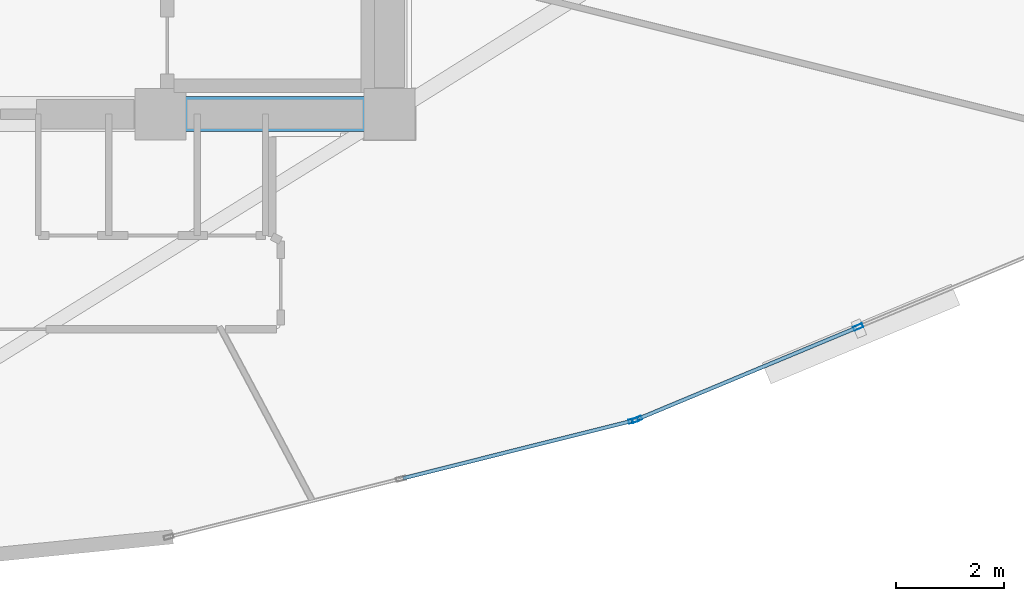
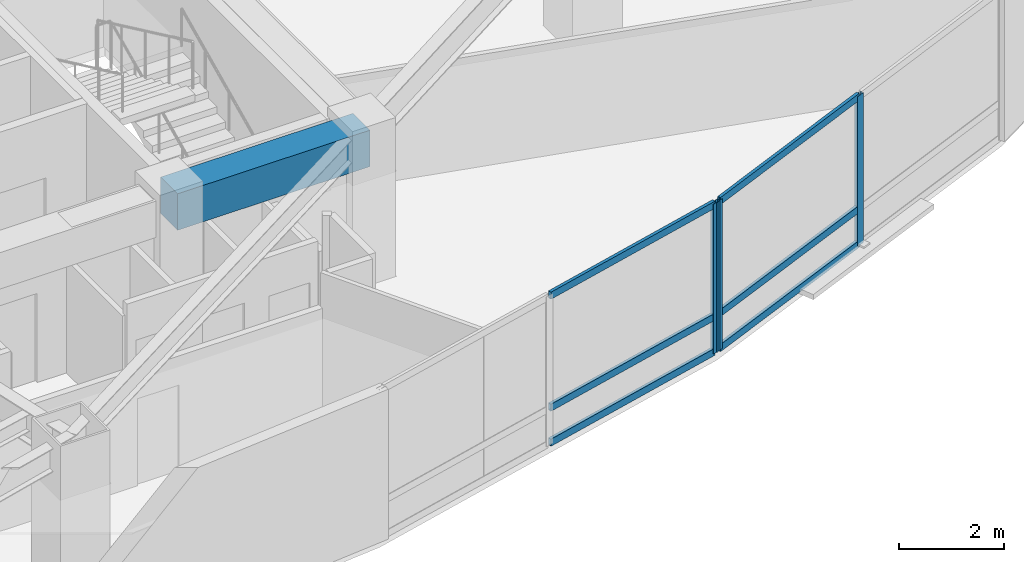
# One storey, part 5 of 18: 9 members, 1 beam, 2 elements without a shape of their own.
"""IFC4 building model written with IfcOpenShell, lengths in metres."""

from ifc_helpers import new_model, si_unit, direction, frame, origin, origin_2d, place, context, subcontext, project, spatial, rectangle, hollow_rectangle, extrude, material, layer, layer_set, material_profile, profile_set, type_object, element, aggregate, save


model = new_model("IFC4")

# Units and contexts
model_context = context("Model", 3, precision=1e-05, world=origin(), true_north=direction((0.0, 1.0)))
body_context = subcontext(model_context, "Body", "Model", "MODEL_VIEW")
ifc_project = project(units=[si_unit("LENGTHUNIT", "METRE"), si_unit("AREAUNIT", "SQUARE_METRE"), si_unit("VOLUMEUNIT", "CUBIC_METRE"), si_unit("PLANEANGLEUNIT", "RADIAN"), si_unit("MASSUNIT", "GRAM", prefix="KILO")], contexts=[model_context])

# Site, building, storey
site_placement = place(None, origin())
site = spatial("IfcSite", under=ifc_project, at=site_placement, CompositionType="ELEMENT")
building_placement = place(site_placement, origin())
building = spatial("IfcBuilding", under=site, at=building_placement, Name="Menara Vayukalpa", CompositionType="ELEMENT")
storey_placement = place(building_placement, frame((0.0, 0.0, 161.760009765625)))
storey = spatial("IfcBuildingStorey", under=building, at=storey_placement, Name="L40", CompositionType="ELEMENT", Elevation=161.760009765625)

# Beam
ifc_material_1 = material(Name="Concrete C60/75", Category="concrete")
ifc_material_profile_1 = material_profile(ifc_material_1, rectangle(XDim=0.64990234375, YDim=0.85009765625, at=origin_2d()), Name="RC 650x850")
ifc_profile_set_1 = profile_set([ifc_material_profile_1], Name="Concrete C60/75")
beam_type = type_object("IfcBeamType", Name="BM-CB1", PredefinedType="BEAM", material=ifc_profile_set_1)
beam_placement = place(storey_placement, frame((29.14990234375, 17.199951171875, 3.074951171875), z_axis=(1.0, 0.0, 0.0), x_axis=(0.0, 1.0, 0.0)))
element("IfcBeam", 1, at=beam_placement, inside=storey, type_object=beam_type, Name="L40 Core Tie Beam CBR3", PredefinedType="BEAM", context=body_context, shape_type="SweptSolid", body=[
    extrude(rectangle(XDim=0.64990234375, YDim=0.85009765625, at=origin_2d()), origin(), (0.0, 0.0, 1.0), 4.25),
])

# Curtain wall, member
ifc_material_2 = material(Name="Anodised Terracotta Aluminium Alloy 6063-T6", Category="masonry")
ifc_layer = layer(ifc_material_2, 0.179931640625)
ifc_layer_set = layer_set([ifc_layer], Name="Anodised Terracotta Aluminium Alloy 6063-T6")
curtain_wall_type = type_object("IfcCurtainWallType", Name="CW-CW4", PredefinedType="USERDEFINED", material=ifc_layer_set)
curtain_wall_1_placement = place(storey_placement, origin())
curtain_wall_1 = element("IfcCurtainWall", 2, at=curtain_wall_1_placement, inside=storey, type_object=curtain_wall_type, Name="L40 Sky Bar Cantilever Glazed Curtain Wall CW4 16", ObjectType="UNITISED", PredefinedType="USERDEFINED")
ifc_material_3 = material(Name="Anodised Terracotta Aluminium Alloy 6063-T6", Category="masonry")
ifc_material_profile_2 = material_profile(ifc_material_3, hollow_rectangle(XDim=0.074951171875, YDim=0.179931640625, WallThickness=0.00390625, at=origin_2d()), Name="ALU 75x180x4")
ifc_profile_set_2 = profile_set([ifc_material_profile_2], Name="Anodised Terracotta Aluminium Alloy 6063-T6")
member_type_1 = type_object("IfcMemberType", Name="CWM-CW4", PredefinedType="MULLION", material=ifc_profile_set_2)
member_1_placement = place(storey_placement, frame((37.92529296875, 11.51318359375, 0.0), z_axis=(0.0, 0.0, 1.0), x_axis=(-0.243112993066, 0.969997975566, 0.0)))
member_1 = element("IfcMember", 3, at=member_1_placement, type_object=member_type_1, Name="CW4 mullion 3", PredefinedType="MULLION", context=body_context, shape_type="SweptSolid", body=[
    extrude(hollow_rectangle(XDim=0.074951171875, YDim=0.179931640625, WallThickness=0.00390625, at=origin_2d()), origin(), (0.0, 0.0, 1.0), 3.5),
])

# Curtain wall, members
curtain_wall_2_placement = place(storey_placement, origin())
curtain_wall_2 = element("IfcCurtainWall", 4, at=curtain_wall_2_placement, inside=storey, type_object=curtain_wall_type, Name="L40 Sky Bar Cantilever Glazed Curtain Wall CW4 17", ObjectType="UNITISED", PredefinedType="USERDEFINED")
member_2_placement = place(storey_placement, frame((37.996337890625, 11.536865234375, 0.0), z_axis=(0.0, 0.0, 1.0), x_axis=(-0.385091352437, 0.922878459104, 0.0)))
member_2 = element("IfcMember", 5, at=member_2_placement, type_object=member_type_1, Name="CW4 mullion 1", PredefinedType="MULLION", context=body_context, shape_type="SweptSolid", body=[
    extrude(hollow_rectangle(XDim=0.074951171875, YDim=0.179931640625, WallThickness=0.00390625, at=origin_2d()), origin(), (0.0, 0.0, 1.0), 3.5),
])
member_3_placement = place(storey_placement, frame((42.098388671875, 13.24853515625, 0.0), z_axis=(0.0, 0.0, 1.0), x_axis=(-0.385091352437, 0.922878459104, 0.0)))
member_3 = element("IfcMember", 6, at=member_3_placement, type_object=member_type_1, Name="CW4 mullion 2", PredefinedType="MULLION", context=body_context, shape_type="SweptSolid", body=[
    extrude(hollow_rectangle(XDim=0.074951171875, YDim=0.179931640625, WallThickness=0.00390625, at=origin_2d()), origin(), (0.0, 0.0, 1.0), 3.5),
])

# Member
ifc_material_4 = material(Name="Anodised Terracotta Aluminium Alloy 6063-T6", Category="masonry")
ifc_material_profile_3 = material_profile(ifc_material_4, hollow_rectangle(XDim=0.070068359375, YDim=0.1650390625, WallThickness=0.00390625, at=origin_2d()), Name="ALU 70x165x4")
ifc_profile_set_3 = profile_set([ifc_material_profile_3], Name="Anodised Terracotta Aluminium Alloy 6063-T6")
member_type_2 = type_object("IfcMemberType", Name="CWT-CW4", PredefinedType="USERDEFINED", material=ifc_profile_set_3)
member_4_placement = place(storey_placement, frame((33.650146484375, 10.441650390625, 0.034912109375), z_axis=(0.969991137753, 0.243140273672, 0.0), x_axis=(-0.243140273672, 0.969991137753, 0.0)))
member_4 = element("IfcMember", 7, at=member_4_placement, type_object=member_type_2, Name="CW4 transom 2.1", ObjectType="TRANSOM", PredefinedType="USERDEFINED", context=body_context, shape_type="SweptSolid", body=[
    extrude(hollow_rectangle(XDim=0.070068359375, YDim=0.1650390625, WallThickness=0.00390625, at=origin_2d()), origin(), (0.0, 0.0, 1.0), 4.369873046875),
])

member_5_placement = place(storey_placement, frame((33.650146484375, 10.441650390625, 0.85009765625), z_axis=(0.969991137753, 0.243140273672, 0.0), x_axis=(-0.243140273672, 0.969991137753, 0.0)))
member_5 = element("IfcMember", 8, at=member_5_placement, type_object=member_type_2, Name="CW4 transom 2.2", ObjectType="TRANSOM", PredefinedType="USERDEFINED", context=body_context, shape_type="SweptSolid", body=[
    extrude(hollow_rectangle(XDim=0.070068359375, YDim=0.1650390625, WallThickness=0.00390625, at=origin_2d()), origin(), (0.0, 0.0, 1.0), 4.369873046875),
])

member_6_placement = place(storey_placement, frame((33.650146484375, 10.441650390625, 3.465087890625), z_axis=(0.969991137753, 0.243140273672, 0.0), x_axis=(-0.243140273672, 0.969991137753, 0.0)))
member_6 = element("IfcMember", 9, at=member_6_placement, type_object=member_type_2, Name="CW4 transom 2.3", ObjectType="TRANSOM", PredefinedType="USERDEFINED", context=body_context, shape_type="SweptSolid", body=[
    extrude(hollow_rectangle(XDim=0.070068359375, YDim=0.1650390625, WallThickness=0.00390625, at=origin_2d()), origin(), (0.0, 0.0, 1.0), 4.369873046875),
])

aggregate(curtain_wall_1, [member_1, member_4, member_5, member_6])

member_7_placement = place(storey_placement, frame((38.031005859375, 11.55126953125, 0.034912109375), z_axis=(0.922868513183, 0.385115187152, 0.0), x_axis=(-0.385115187152, 0.922868513183, 0.0)))
member_7 = element("IfcMember", 10, at=member_7_placement, type_object=member_type_2, Name="CW4 transom 1.1", ObjectType="TRANSOM", PredefinedType="USERDEFINED", context=body_context, shape_type="SweptSolid", body=[
    extrude(hollow_rectangle(XDim=0.070068359375, YDim=0.1650390625, WallThickness=0.00390625, at=origin_2d()), origin(), (0.0, 0.0, 1.0), 4.369873046875),
])

member_8_placement = place(storey_placement, frame((38.031005859375, 11.55126953125, 0.85009765625), z_axis=(0.922868513183, 0.385115187152, 0.0), x_axis=(-0.385115187152, 0.922868513183, 0.0)))
member_8 = element("IfcMember", 11, at=member_8_placement, type_object=member_type_2, Name="CW4 transom 1.2", ObjectType="TRANSOM", PredefinedType="USERDEFINED", context=body_context, shape_type="SweptSolid", body=[
    extrude(hollow_rectangle(XDim=0.070068359375, YDim=0.1650390625, WallThickness=0.00390625, at=origin_2d()), origin(), (0.0, 0.0, 1.0), 4.369873046875),
])

member_9_placement = place(storey_placement, frame((38.031005859375, 11.55126953125, 3.465087890625), z_axis=(0.922868513183, 0.385115187152, 0.0), x_axis=(-0.385115187152, 0.922868513183, 0.0)))
member_9 = element("IfcMember", 12, at=member_9_placement, type_object=member_type_2, Name="CW4 transom 1.3", ObjectType="TRANSOM", PredefinedType="USERDEFINED", context=body_context, shape_type="SweptSolid", body=[
    extrude(hollow_rectangle(XDim=0.070068359375, YDim=0.1650390625, WallThickness=0.00390625, at=origin_2d()), origin(), (0.0, 0.0, 1.0), 4.369873046875),
])

aggregate(curtain_wall_2, [member_2, member_3, member_7, member_8, member_9])

save(model, "model.ifc")
